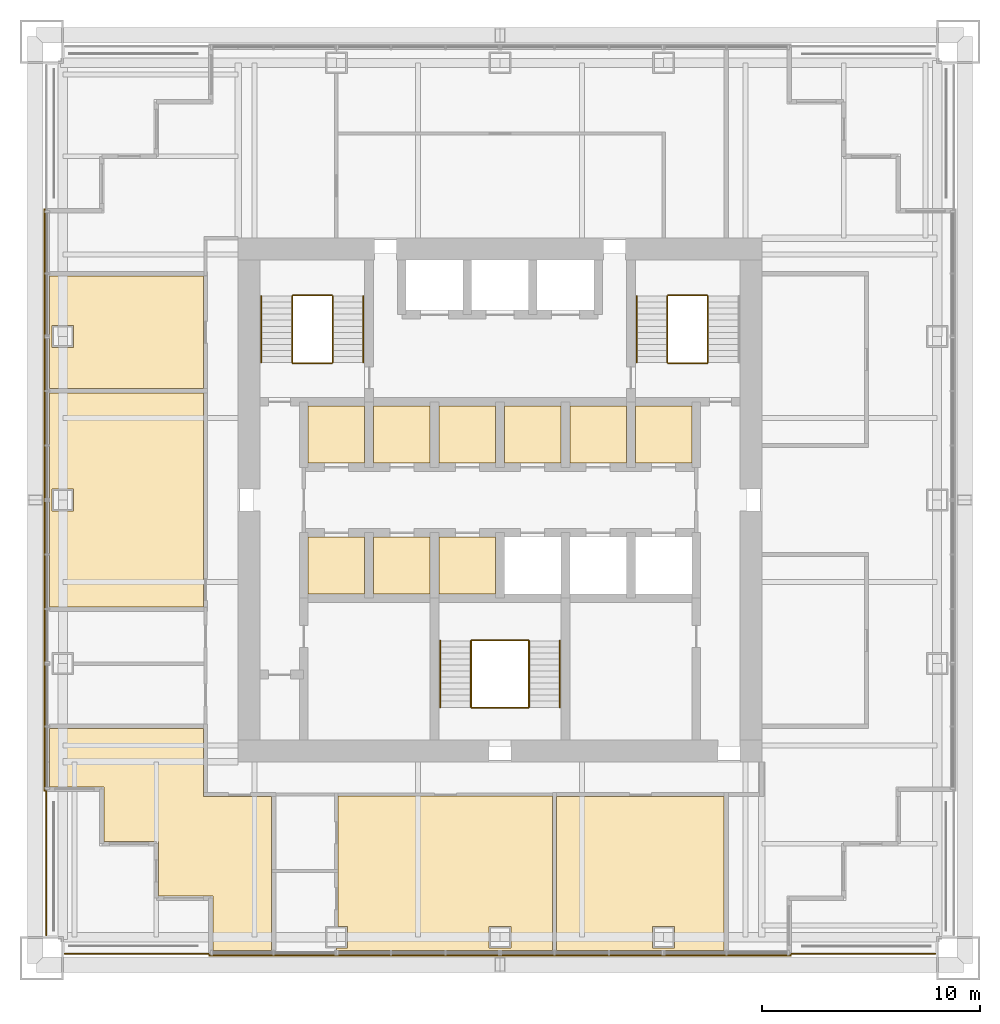
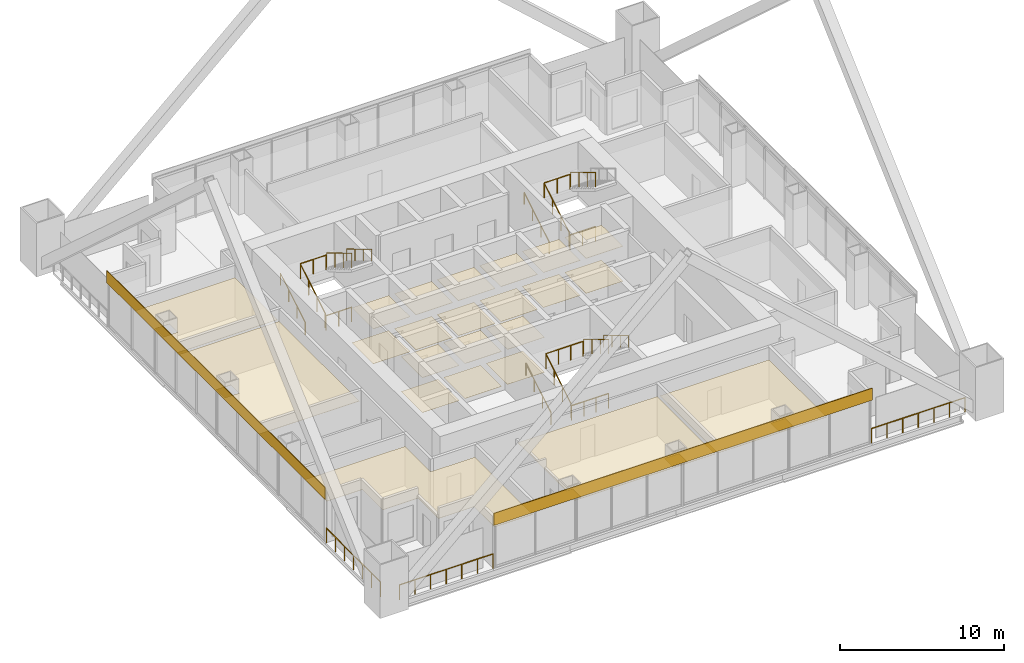
# One storey, part 12 of 13: 25 coverings, 20 railings.
"""IFC4 building model written with IfcOpenShell, lengths in metres."""

import ifcopenshell
import ifcopenshell.guid

model = None  # the IFC model being written
_history = None  # IfcOwnerHistory: only IFC2X3 demands one
_inside = {}  # id of a spatial element -> (the spatial element, [elements in it])
_under = {}  # id of a project, library or spatial element -> (it, [spatial elements below it])
_declared = {}  # id of a project -> (the project, [libraries it declares])
_typed = {}  # id of a type object -> (the type object, [elements of that type])
_made_of = {}  # id of a material, layer set ... -> (it, [elements and type objects made of it])


def new_model(schema):
    """Start an empty IFC model of exactly this schema.

    Asked for "IFC4X3", IfcOpenShell would pick the latest addendum, in which some entities
    have other attributes; the version numbers below select the first issue.
    IFC2X3 requires an IfcOwnerHistory on every rooted entity: one is made here for all.
    """
    global model, _history
    if schema == "IFC4X3":
        model = ifcopenshell.file(schema_version=(4, 3, 0, 0))
    else:
        model = ifcopenshell.file(schema=schema)
    _inside.clear()
    _under.clear()
    _declared.clear()
    _typed.clear()
    _made_of.clear()
    _history = None
    if model.schema == "IFC2X3":
        org = make("IfcOrganization", Name="unknown")
        user = make(
            "IfcPersonAndOrganization",
            ThePerson=make("IfcPerson", FamilyName="unknown"),
            TheOrganization=org,
        )
        app = make(
            "IfcApplication",
            ApplicationDeveloper=org,
            Version="unknown",
            ApplicationFullName="unknown",
            ApplicationIdentifier="unknown",
        )
        _history = make(
            "IfcOwnerHistory",
            OwningUser=user,
            OwningApplication=app,
            ChangeAction="ADDED",
            CreationDate=0,
        )
    return model


def make(cls, **values):
    """One entity of the class cls with the attributes given. An attribute that is None is left unset."""
    return model.create_entity(
        cls, **{name: value for name, value in values.items() if value is not None}
    )


def rooted(cls, **values):
    """An entity with a GlobalId (a new one), such as an element, a storey or a relation."""
    return make(cls, GlobalId=ifcopenshell.guid.new(), OwnerHistory=_history, **values)


def si_unit(unit_type, name, prefix=None):
    """IfcSIUnit, for example si_unit("LENGTHUNIT", "METRE", prefix="MILLI")."""
    return make("IfcSIUnit", UnitType=unit_type, Prefix=prefix, Name=name)


def assignment(units):
    """IfcUnitAssignment: the units of a project."""
    return None if units is None else make("IfcUnitAssignment", Units=units)


def point(xyz):
    """IfcCartesianPoint."""
    return None if xyz is None else make("IfcCartesianPoint", Coordinates=xyz)


def direction(xyz):
    """IfcDirection."""
    return None if xyz is None else make("IfcDirection", DirectionRatios=xyz)


def frame(location, z_axis=None, x_axis=None):
    """IfcAxis2Placement3D, a coordinate frame: its origin and axes. An axis left out is left unset."""
    return make(
        "IfcAxis2Placement3D",
        Location=point(location),
        Axis=direction(z_axis),
        RefDirection=direction(x_axis),
    )


def frame_2d(location, x_axis=None):
    """IfcAxis2Placement2D, a coordinate frame in the plane: its origin and x axis."""
    return make(
        "IfcAxis2Placement2D", Location=point(location), RefDirection=direction(x_axis)
    )


def origin():
    """The frame at (0, 0, 0) with its axes left unset."""
    return frame((0.0, 0.0, 0.0))


def origin_2d():
    """The frame at (0, 0) in the plane with its x axis left unset."""
    return frame_2d((0.0, 0.0))


def place(relative_to, where):
    """IfcLocalPlacement: puts the frame where relative to a parent placement (None: the world)."""
    return make(
        "IfcLocalPlacement", PlacementRelTo=relative_to, RelativePlacement=where
    )


def context(
    kind, dimensions, precision=None, world=None, true_north=None, identifier=None
):
    """IfcGeometricRepresentationContext, for example the 3D "Model" context."""
    return make(
        "IfcGeometricRepresentationContext",
        ContextIdentifier=identifier,
        ContextType=kind,
        CoordinateSpaceDimension=dimensions,
        Precision=precision,
        WorldCoordinateSystem=world,
        TrueNorth=true_north,
    )


def subcontext(parent, identifier, kind, view, scale=None):
    """IfcGeometricRepresentationSubContext, for example "Body" below "Model"."""
    return make(
        "IfcGeometricRepresentationSubContext",
        ContextIdentifier=identifier,
        ContextType=kind,
        ParentContext=parent,
        TargetScale=scale,
        TargetView=view,
    )


def project(units=None, contexts=None):
    """IfcProject with its units and contexts."""
    return rooted(
        "IfcProject",
        Name="project",
        RepresentationContexts=contexts,
        UnitsInContext=assignment(units),
    )


def spatial(cls, under=None, at=None, **own):
    """A site, building, storey or space (cls), placed at a placement, below another one or the project."""
    s = rooted(cls, ObjectPlacement=at, **own)
    if under is not None:
        _under.setdefault(under.id(), (under, []))[1].append(s)
    return s


def polyline(points):
    """IfcPolyline through the points."""
    return make("IfcPolyline", Points=[point(p) for p in points])


def profile(cls, at=None, kind="AREA", **sizes):
    """A parametric profile (cls). Its sizes go by their IFC names, for example OverallWidth=200.0."""
    return make(cls, ProfileType=kind, Position=at, **sizes)


def rectangle(**sizes):
    """IfcRectangleProfileDef."""
    return profile("IfcRectangleProfileDef", **sizes)


def circle(**sizes):
    """IfcCircleProfileDef."""
    return profile("IfcCircleProfileDef", **sizes)


def outline(outer, holes=None, kind="AREA"):
    """IfcArbitraryClosedProfileDef: a profile drawn as a closed curve; with holes, ...WithVoids."""
    if holes is None:
        return make("IfcArbitraryClosedProfileDef", ProfileType=kind, OuterCurve=outer)
    return make(
        "IfcArbitraryProfileDefWithVoids",
        ProfileType=kind,
        OuterCurve=outer,
        InnerCurves=holes,
    )


def extrude(swept, where, along, depth):
    """IfcExtrudedAreaSolid: the profile swept, set in the frame where, extruded along a direction by depth."""
    return make(
        "IfcExtrudedAreaSolid",
        SweptArea=swept,
        Position=where,
        ExtrudedDirection=direction(along),
        Depth=depth,
    )


def shape(context_of_items, identifier, shape_type, items):
    """IfcShapeRepresentation: the items that make up one representation, for example the "Body"."""
    return make(
        "IfcShapeRepresentation",
        ContextOfItems=context_of_items,
        RepresentationIdentifier=identifier,
        RepresentationType=shape_type,
        Items=items,
    )


def material(Name=None, Category=None):
    """IfcMaterial."""
    return make("IfcMaterial", Name=Name, Category=Category)


def layer(
    of_material, thickness, ventilated=None, Name=None, Category=None, Priority=None
):
    """IfcMaterialLayer: one layer of a wall or slab, of a material (None: an air gap)."""
    return make(
        "IfcMaterialLayer",
        Material=of_material,
        LayerThickness=thickness,
        IsVentilated=ventilated,
        Name=Name,
        Category=Category,
        Priority=Priority,
    )


def layer_set(layers, Name=None):
    """IfcMaterialLayerSet."""
    return make("IfcMaterialLayerSet", MaterialLayers=layers, LayerSetName=Name)


def made_of(thing, what):
    """Note that an element or type object is made of a material, layer set ...; save() writes the relation."""
    if what is not None:
        _made_of.setdefault(what.id(), (what, []))[1].append(thing)
    return thing


def type_object(cls, material=None, **own):
    """A type object (cls), such as IfcWallType, which elements share."""
    return made_of(rooted(cls, **own), material)


def element(
    cls,
    number,
    at=None,
    inside=None,
    cuts=None,
    type_object=None,
    material=None,
    context=None,
    identifier="Body",
    shape_type=None,
    held_by="IfcProductDefinitionShape",
    body=None,
    shapes=None,
    **own,
):
    """One element of the class cls, such as IfcWall. Its Tag is "e" and its number.

    at: its placement. inside: the storey or other place that contains it. cuts: it is an
    opening in that element (IfcRelVoidsElement). A single representation is given by context,
    identifier, shape_type and body (its items); several are given by shapes. held_by: the class
    of the entity that holds the representations. save() writes the other relations.
    """
    e = rooted(cls, Tag="e%d" % number, ObjectPlacement=at, **own)
    if body is not None:
        shapes = [shape(context, identifier, shape_type, body)]
    if shapes is not None:
        e.Representation = make(held_by, Representations=shapes)
    if inside is not None:
        _inside.setdefault(inside.id(), (inside, []))[1].append(e)
    if cuts is not None:
        rooted(
            "IfcRelVoidsElement", RelatingBuildingElement=cuts, RelatedOpeningElement=e
        )
    if type_object is not None:
        _typed.setdefault(type_object.id(), (type_object, []))[1].append(e)
    return made_of(e, material)


def aggregate(whole, parts):
    """IfcRelAggregates: a whole, such as a stair, and the parts it consists of."""
    return rooted("IfcRelAggregates", RelatingObject=whole, RelatedObjects=parts)


def save(model, path):
    """Write the relations noted so far, then the file.

    IfcRelAggregates (storeys below a building ...), IfcRelContainedInSpatialStructure (elements
    in a storey), IfcRelDefinesByType, IfcRelAssociatesMaterial and IfcRelDeclares: one each for
    every whole, place, type object, material and project.
    """
    for whole, parts in _under.values():
        aggregate(whole, parts)
    for where, things in _inside.values():
        rooted(
            "IfcRelContainedInSpatialStructure",
            RelatedElements=things,
            RelatingStructure=where,
        )
    for kind, things in _typed.values():
        rooted("IfcRelDefinesByType", RelatedObjects=things, RelatingType=kind)
    for what, things in _made_of.values():
        rooted("IfcRelAssociatesMaterial", RelatedObjects=things, RelatingMaterial=what)
    for by, libraries in _declared.values():
        rooted("IfcRelDeclares", RelatingContext=by, RelatedDefinitions=libraries)
    model.write(path)


model = new_model("IFC4")

# Units and contexts
model_context = context("Model", 3, precision=1e-05, world=origin(), true_north=direction((0.0, 1.0)))
body_context = subcontext(model_context, "Body", "Model", "MODEL_VIEW")
ifc_project = project(units=[si_unit("LENGTHUNIT", "METRE"), si_unit("AREAUNIT", "SQUARE_METRE"), si_unit("VOLUMEUNIT", "CUBIC_METRE"), si_unit("PLANEANGLEUNIT", "RADIAN"), si_unit("MASSUNIT", "GRAM", prefix="KILO")], contexts=[model_context])

# Site, building, storey
site_placement = place(None, origin())
site = spatial("IfcSite", under=ifc_project, at=site_placement, CompositionType="ELEMENT")
building_placement = place(site_placement, origin())
building = spatial("IfcBuilding", under=site, at=building_placement, Name="Tarangal Relay Tower", CompositionType="ELEMENT")
storey_placement = place(building_placement, frame((0.0, 0.0, 259.89990234375)))
storey = spatial("IfcBuildingStorey", under=building, at=storey_placement, Name="L56", CompositionType="ELEMENT", Elevation=259.89990234375)

# Coverings
ifc_material_1 = material(Name="Anti-static vinyl flooring", Category="plastic")
ifc_layer_1 = layer(ifc_material_1, 0.010009765625)
ifc_layer_set_1 = layer_set([ifc_layer_1], Name="Anti-static vinyl floor")
covering_type_1 = type_object("IfcCoveringType", Name="Anti-static vinyl floor", PredefinedType="FLOORING", material=ifc_layer_set_1)
covering_1_placement = place(storey_placement, origin())
element("IfcCovering", 1, at=covering_1_placement, inside=storey, type_object=covering_type_1, Name="Floor finish FL1 L56-D1", PredefinedType="FLOORING", context=body_context, shape_type="SweptSolid", body=[
    extrude(outline(polyline([(-8.800048828125, 1.699951171875), (-6.199951171875, 1.699951171875), (-6.199951171875, 4.300048828125), (-8.800048828125, 4.300048828125), (-8.800048828125, 1.699951171875)])), origin(), (0.0, 0.0, 1.0), 0.010009765625),
])
covering_2_placement = place(storey_placement, origin())
element("IfcCovering", 2, at=covering_2_placement, inside=storey, type_object=covering_type_1, Name="Floor finish FL1 L56-D2", PredefinedType="FLOORING", context=body_context, shape_type="SweptSolid", body=[
    extrude(outline(polyline([(-5.800048828125, 1.699951171875), (-3.199951171875, 1.699951171875), (-3.199951171875, 4.300048828125), (-5.800048828125, 4.300048828125), (-5.800048828125, 1.699951171875)])), origin(), (0.0, 0.0, 1.0), 0.010009765625),
])
covering_3_placement = place(storey_placement, origin())
element("IfcCovering", 3, at=covering_3_placement, inside=storey, type_object=covering_type_1, Name="Floor finish FL1 L56-D3", PredefinedType="FLOORING", context=body_context, shape_type="SweptSolid", body=[
    extrude(outline(polyline([(-2.800048828125, 1.699951171875), (-0.199951171875, 1.699951171875), (-0.199951171875, 4.300048828125), (-2.800048828125, 4.300048828125), (-2.800048828125, 1.699951171875)])), origin(), (0.0, 0.0, 1.0), 0.010009765625),
])
covering_4_placement = place(storey_placement, origin())
element("IfcCovering", 4, at=covering_4_placement, inside=storey, type_object=covering_type_1, Name="Floor finish FL1 L56-T1", PredefinedType="FLOORING", context=body_context, shape_type="SweptSolid", body=[
    extrude(outline(polyline([(0.199951171875, 1.699951171875), (2.800048828125, 1.699951171875), (2.800048828125, 4.300048828125), (0.199951171875, 4.300048828125), (0.199951171875, 1.699951171875)])), origin(), (0.0, 0.0, 1.0), 0.010009765625),
])
covering_5_placement = place(storey_placement, origin())
element("IfcCovering", 5, at=covering_5_placement, inside=storey, type_object=covering_type_1, Name="Floor finish FL1 L56-T2", PredefinedType="FLOORING", context=body_context, shape_type="SweptSolid", body=[
    extrude(outline(polyline([(3.199951171875, 1.699951171875), (5.800048828125, 1.699951171875), (5.800048828125, 4.300048828125), (3.199951171875, 4.300048828125), (3.199951171875, 1.699951171875)])), origin(), (0.0, 0.0, 1.0), 0.010009765625),
])
covering_6_placement = place(storey_placement, origin())
element("IfcCovering", 6, at=covering_6_placement, inside=storey, type_object=covering_type_1, Name="Floor finish FL1 L56-T3", PredefinedType="FLOORING", context=body_context, shape_type="SweptSolid", body=[
    extrude(outline(polyline([(6.199951171875, 1.699951171875), (8.800048828125, 1.699951171875), (8.800048828125, 4.300048828125), (6.199951171875, 4.300048828125), (6.199951171875, 1.699951171875)])), origin(), (0.0, 0.0, 1.0), 0.010009765625),
])
covering_7_placement = place(storey_placement, origin())
element("IfcCovering", 7, at=covering_7_placement, inside=storey, type_object=covering_type_1, Name="Floor finish FL1 L56-S1", PredefinedType="FLOORING", context=body_context, shape_type="SweptSolid", body=[
    extrude(outline(polyline([(-8.800048828125, -4.300048828125), (-6.199951171875, -4.300048828125), (-6.199951171875, -1.699951171875), (-8.800048828125, -1.699951171875), (-8.800048828125, -4.300048828125)])), origin(), (0.0, 0.0, 1.0), 0.010009765625),
])
covering_8_placement = place(storey_placement, origin())
element("IfcCovering", 8, at=covering_8_placement, inside=storey, type_object=covering_type_1, Name="Floor finish FL1 L56-S2", PredefinedType="FLOORING", context=body_context, shape_type="SweptSolid", body=[
    extrude(outline(polyline([(-5.800048828125, -4.300048828125), (-3.199951171875, -4.300048828125), (-3.199951171875, -1.699951171875), (-5.800048828125, -1.699951171875), (-5.800048828125, -4.300048828125)])), origin(), (0.0, 0.0, 1.0), 0.010009765625),
])
covering_9_placement = place(storey_placement, origin())
element("IfcCovering", 9, at=covering_9_placement, inside=storey, type_object=covering_type_1, Name="Floor finish FL1 L56-S3", PredefinedType="FLOORING", context=body_context, shape_type="SweptSolid", body=[
    extrude(outline(polyline([(-2.800048828125, -4.300048828125), (-0.199951171875, -4.300048828125), (-0.199951171875, -1.699951171875), (-2.800048828125, -1.699951171875), (-2.800048828125, -4.300048828125)])), origin(), (0.0, 0.0, 1.0), 0.010009765625),
])
ifc_material_2 = material(Name="Black anodised aluminium cladding", Category="aluminium")
ifc_layer_2 = layer(ifc_material_2, 0.050048828125)
ifc_layer_set_2 = layer_set([ifc_layer_2], Name="Black metal spandrel band")
covering_type_2 = type_object("IfcCoveringType", Name="Black metal spandrel band", PredefinedType="CLADDING", material=ifc_layer_set_2)
for number, where, z_axis, x_axis, name in (
    (10, (0.0, -20.875, 3.250244140625), (0.0, 0.0, 1.0), (-1.0, 0.0, 0.0), "Spandrel band SB1 S L56"),
    (11, (-20.875, 0.0, 3.250244140625), (0.0, 0.0, 1.0), (0.0, 1.0, 0.0), "Spandrel band SB1 W L56"),
):
    element("IfcCovering", number, at=place(storey_placement, frame(where, z_axis=z_axis, x_axis=x_axis)), inside=storey, type_object=covering_type_2, Name=name, PredefinedType="CLADDING", context=body_context, shape_type="SweptSolid", body=[
        extrude(rectangle(XDim=26.699951171875, YDim=0.050048828125, at=origin_2d()), origin(), (0.0, 0.0, 1.0), 0.89990234375),
    ])

# Railings
ifc_material_3 = material(Name="Steel guard, black finish", Category="steel")
railing_type_1 = type_object("IfcRailingType", Name="Stair guard 1100", PredefinedType="GUARDRAIL", material=ifc_material_3)
railing_1_placement = place(storey_placement, frame((-9.530029296875, 6.300048828125, 0.166748046875)))
element("IfcRailing", 12, at=railing_1_placement, inside=storey, type_object=railing_type_1, Name="Stair ST-A guard GR1 L56 flight 1", PredefinedType="GUARDRAIL", context=body_context, shape_type="SweptSolid", body=[
    extrude(circle(Radius=0.02392578125, at=origin_2d()), frame((0.0, 0.0, 1.076171875), z_axis=(0.0, 0.85685617095, 0.515555527858), x_axis=(-1.0, 0.0, 0.0)), (0.0, 0.0, 1.0), 3.555908203125),
    extrude(circle(Radius=0.02099609375, at=origin_2d()), origin(), (0.0, 0.0, 1.0), 1.052001953125),
    extrude(circle(Radius=0.02099609375, at=origin_2d()), frame((0.0, 1.015625, 0.611083984375)), (0.0, 0.0, 1.0), 1.052001953125),
    extrude(circle(Radius=0.02099609375, at=origin_2d()), frame((0.0, 2.03125, 1.22216796875)), (0.0, 0.0, 1.0), 1.052001953125),
    extrude(circle(Radius=0.02099609375, at=origin_2d()), frame((0.0, 3.046875, 1.833251953125)), (0.0, 0.0, 1.0), 1.052001953125),
])
railing_2_placement = place(storey_placement, frame((-7.669921875, 9.346923828125, 2.166748046875)))
element("IfcRailing", 13, at=railing_2_placement, inside=storey, type_object=railing_type_1, Name="Stair ST-A guard GR1 L56 flight 2", PredefinedType="GUARDRAIL", context=body_context, shape_type="SweptSolid", body=[
    extrude(circle(Radius=0.02392578125, at=origin_2d()), frame((0.0, 0.0, 1.076171875), z_axis=(0.0, -0.85685617095, 0.515555527858), x_axis=(1.0, 0.0, 0.0)), (0.0, 0.0, 1.0), 3.555908203125),
    extrude(circle(Radius=0.02099609375, at=origin_2d()), origin(), (0.0, 0.0, 1.0), 1.052001953125),
    extrude(circle(Radius=0.02099609375, at=origin_2d()), frame((0.0, -1.015625, 0.611083984375)), (0.0, 0.0, 1.0), 1.052001953125),
    extrude(circle(Radius=0.02099609375, at=origin_2d()), frame((0.0, -2.03125, 1.22216796875)), (0.0, 0.0, 1.0), 1.052001953125),
    extrude(circle(Radius=0.02099609375, at=origin_2d()), frame((0.0, -3.046875, 1.833251953125)), (0.0, 0.0, 1.0), 1.052001953125),
])
for number, where, name in (
    (14, (-9.5, 6.27001953125, 0.0), "Stair ST-A landing guard GR1 L56"),
    (15, (-9.5, 9.376953125, 2.0), "Stair ST-A landing guard GR1 L56"),
):
    element("IfcRailing", number, at=place(storey_placement, frame(where)), inside=storey, type_object=railing_type_1, Name=name, PredefinedType="GUARDRAIL", context=body_context, shape_type="SweptSolid", body=[
        extrude(circle(Radius=0.02392578125, at=origin_2d()), frame((0.0, 0.0, 1.076171875), z_axis=(1.0, 0.0, 0.0), x_axis=(0.0, 1.0, 0.0)), (0.0, 0.0, 1.0), 1.800048828125),
        extrude(circle(Radius=0.02099609375, at=origin_2d()), origin(), (0.0, 0.0, 1.0), 1.052001953125),
        extrude(circle(Radius=0.02099609375, at=origin_2d()), frame((0.89990234375, 0.0, 0.0)), (0.0, 0.0, 1.0), 1.052001953125),
        extrude(circle(Radius=0.02099609375, at=origin_2d()), frame((1.800048828125, 0.0, 0.0)), (0.0, 0.0, 1.0), 1.052001953125),
    ])
railing_3_placement = place(storey_placement, frame((7.669921875, 6.300048828125, 0.166748046875)))
element("IfcRailing", 16, at=railing_3_placement, inside=storey, type_object=railing_type_1, Name="Stair ST-B guard GR1 L56 flight 1", PredefinedType="GUARDRAIL", context=body_context, shape_type="SweptSolid", body=[
    extrude(circle(Radius=0.02392578125, at=origin_2d()), frame((0.0, 0.0, 1.076171875), z_axis=(0.0, 0.85685617095, 0.515555527858), x_axis=(-1.0, 0.0, 0.0)), (0.0, 0.0, 1.0), 3.555908203125),
    extrude(circle(Radius=0.02099609375, at=origin_2d()), origin(), (0.0, 0.0, 1.0), 1.052001953125),
    extrude(circle(Radius=0.02099609375, at=origin_2d()), frame((0.0, 1.015625, 0.611083984375)), (0.0, 0.0, 1.0), 1.052001953125),
    extrude(circle(Radius=0.02099609375, at=origin_2d()), frame((0.0, 2.03125, 1.22216796875)), (0.0, 0.0, 1.0), 1.052001953125),
    extrude(circle(Radius=0.02099609375, at=origin_2d()), frame((0.0, 3.046875, 1.833251953125)), (0.0, 0.0, 1.0), 1.052001953125),
])
railing_4_placement = place(storey_placement, frame((9.530029296875, 9.346923828125, 2.166748046875)))
element("IfcRailing", 17, at=railing_4_placement, inside=storey, type_object=railing_type_1, Name="Stair ST-B guard GR1 L56 flight 2", PredefinedType="GUARDRAIL", context=body_context, shape_type="SweptSolid", body=[
    extrude(circle(Radius=0.02392578125, at=origin_2d()), frame((0.0, 0.0, 1.076171875), z_axis=(0.0, -0.85685617095, 0.515555527858), x_axis=(1.0, 0.0, 0.0)), (0.0, 0.0, 1.0), 3.555908203125),
    extrude(circle(Radius=0.02099609375, at=origin_2d()), origin(), (0.0, 0.0, 1.0), 1.052001953125),
    extrude(circle(Radius=0.02099609375, at=origin_2d()), frame((0.0, -1.015625, 0.611083984375)), (0.0, 0.0, 1.0), 1.052001953125),
    extrude(circle(Radius=0.02099609375, at=origin_2d()), frame((0.0, -2.03125, 1.22216796875)), (0.0, 0.0, 1.0), 1.052001953125),
    extrude(circle(Radius=0.02099609375, at=origin_2d()), frame((0.0, -3.046875, 1.833251953125)), (0.0, 0.0, 1.0), 1.052001953125),
])
for number, where, name in (
    (18, (7.699951171875, 6.27001953125, 0.0), "Stair ST-B landing guard GR1 L56"),
    (19, (7.699951171875, 9.376953125, 2.0), "Stair ST-B landing guard GR1 L56"),
):
    element("IfcRailing", number, at=place(storey_placement, frame(where)), inside=storey, type_object=railing_type_1, Name=name, PredefinedType="GUARDRAIL", context=body_context, shape_type="SweptSolid", body=[
        extrude(circle(Radius=0.02392578125, at=origin_2d()), frame((0.0, 0.0, 1.076171875), z_axis=(1.0, 0.0, 0.0), x_axis=(0.0, 1.0, 0.0)), (0.0, 0.0, 1.0), 1.800048828125),
        extrude(circle(Radius=0.02099609375, at=origin_2d()), origin(), (0.0, 0.0, 1.0), 1.052001953125),
        extrude(circle(Radius=0.02099609375, at=origin_2d()), frame((0.89990234375, 0.0, 0.0)), (0.0, 0.0, 1.0), 1.052001953125),
        extrude(circle(Radius=0.02099609375, at=origin_2d()), frame((1.800048828125, 0.0, 0.0)), (0.0, 0.0, 1.0), 1.052001953125),
    ])
railing_5_placement = place(storey_placement, frame((-1.330078125, -9.5, 0.166748046875)))
element("IfcRailing", 20, at=railing_5_placement, inside=storey, type_object=railing_type_1, Name="Stair ST-C guard GR1 L56 flight 1", PredefinedType="GUARDRAIL", context=body_context, shape_type="SweptSolid", body=[
    extrude(circle(Radius=0.02392578125, at=origin_2d()), frame((0.0, 0.0, 1.076171875), z_axis=(0.0, 0.856874418557, 0.515525199018), x_axis=(-1.0, 0.0, 0.0)), (0.0, 0.0, 1.0), 3.55615234375),
    extrude(circle(Radius=0.02099609375, at=origin_2d()), origin(), (0.0, 0.0, 1.0), 1.052001953125),
    extrude(circle(Radius=0.02099609375, at=origin_2d()), frame((0.0, 1.015625, 0.611083984375)), (0.0, 0.0, 1.0), 1.052001953125),
    extrude(circle(Radius=0.02099609375, at=origin_2d()), frame((0.0, 2.031494140625, 1.22216796875)), (0.0, 0.0, 1.0), 1.052001953125),
    extrude(circle(Radius=0.02099609375, at=origin_2d()), frame((0.0, 3.047119140625, 1.833251953125)), (0.0, 0.0, 1.0), 1.052001953125),
])
railing_6_placement = place(storey_placement, frame((1.330078125, -6.452880859375, 2.166748046875)))
element("IfcRailing", 21, at=railing_6_placement, inside=storey, type_object=railing_type_1, Name="Stair ST-C guard GR1 L56 flight 2", PredefinedType="GUARDRAIL", context=body_context, shape_type="SweptSolid", body=[
    extrude(circle(Radius=0.02392578125, at=origin_2d()), frame((0.0, 0.0, 1.076171875), z_axis=(0.0, -0.856874418557, 0.515525199018), x_axis=(1.0, 0.0, 0.0)), (0.0, 0.0, 1.0), 3.55615234375),
    extrude(circle(Radius=0.02099609375, at=origin_2d()), origin(), (0.0, 0.0, 1.0), 1.052001953125),
    extrude(circle(Radius=0.02099609375, at=origin_2d()), frame((0.0, -1.015625, 0.611083984375)), (0.0, 0.0, 1.0), 1.052001953125),
    extrude(circle(Radius=0.02099609375, at=origin_2d()), frame((0.0, -2.031494140625, 1.22216796875)), (0.0, 0.0, 1.0), 1.052001953125),
    extrude(circle(Radius=0.02099609375, at=origin_2d()), frame((0.0, -3.047119140625, 1.833251953125)), (0.0, 0.0, 1.0), 1.052001953125),
])
for number, where, name in (
    (22, (-1.300048828125, -9.530029296875, 0.0), "Stair ST-C landing guard GR1 L56"),
    (23, (-1.300048828125, -6.423095703125, 2.0), "Stair ST-C landing guard GR1 L56"),
):
    element("IfcRailing", number, at=place(storey_placement, frame(where)), inside=storey, type_object=railing_type_1, Name=name, PredefinedType="GUARDRAIL", context=body_context, shape_type="SweptSolid", body=[
        extrude(circle(Radius=0.02392578125, at=origin_2d()), frame((0.0, 0.0, 1.076171875), z_axis=(1.0, 0.0, 0.0), x_axis=(0.0, 1.0, 0.0)), (0.0, 0.0, 1.0), 2.60009765625),
        extrude(circle(Radius=0.02099609375, at=origin_2d()), origin(), (0.0, 0.0, 1.0), 1.052001953125),
        extrude(circle(Radius=0.02099609375, at=origin_2d()), frame((0.86669921875, 0.0, 0.0)), (0.0, 0.0, 1.0), 1.052001953125),
        extrude(circle(Radius=0.02099609375, at=origin_2d()), frame((1.7333984375, 0.0, 0.0)), (0.0, 0.0, 1.0), 1.052001953125),
        extrude(circle(Radius=0.02099609375, at=origin_2d()), frame((2.60009765625, 0.0, 0.0)), (0.0, 0.0, 1.0), 1.052001953125),
    ])
ifc_material_4 = material(Name="Steel handrail, black finish", Category="steel")
railing_type_2 = type_object("IfcRailingType", Name="Stair handrail 900", PredefinedType="HANDRAIL", material=ifc_material_4)
railing_7_placement = place(storey_placement, frame((-10.93994140625, 6.300048828125, 0.166748046875)))
element("IfcRailing", 24, at=railing_7_placement, inside=storey, type_object=railing_type_2, Name="Stair ST-A handrail HR1 L56 flight 1", PredefinedType="HANDRAIL", context=body_context, shape_type="SweptSolid", body=[
    extrude(circle(Radius=0.02392578125, at=origin_2d()), frame((0.0, 0.0, 0.8759765625), z_axis=(0.0, 0.85685617095, 0.515555527858), x_axis=(-1.0, 0.0, 0.0)), (0.0, 0.0, 1.0), 3.555908203125),
    extrude(circle(Radius=0.02099609375, at=origin_2d()), origin(), (0.0, 0.0, 1.0), 0.851806640625),
    extrude(circle(Radius=0.02099609375, at=origin_2d()), frame((0.0, 1.015625, 0.611083984375)), (0.0, 0.0, 1.0), 0.851806640625),
    extrude(circle(Radius=0.02099609375, at=origin_2d()), frame((0.0, 2.03125, 1.22216796875)), (0.0, 0.0, 1.0), 0.851806640625),
    extrude(circle(Radius=0.02099609375, at=origin_2d()), frame((0.0, 3.046875, 1.833251953125)), (0.0, 0.0, 1.0), 0.851806640625),
])
railing_8_placement = place(storey_placement, frame((-6.260009765625, 9.346923828125, 2.166748046875)))
element("IfcRailing", 25, at=railing_8_placement, inside=storey, type_object=railing_type_2, Name="Stair ST-A handrail HR1 L56 flight 2", PredefinedType="HANDRAIL", context=body_context, shape_type="SweptSolid", body=[
    extrude(circle(Radius=0.02392578125, at=origin_2d()), frame((0.0, 0.0, 0.8759765625), z_axis=(0.0, -0.85685617095, 0.515555527858), x_axis=(1.0, 0.0, 0.0)), (0.0, 0.0, 1.0), 3.555908203125),
    extrude(circle(Radius=0.02099609375, at=origin_2d()), origin(), (0.0, 0.0, 1.0), 0.851806640625),
    extrude(circle(Radius=0.02099609375, at=origin_2d()), frame((0.0, -1.015625, 0.611083984375)), (0.0, 0.0, 1.0), 0.851806640625),
    extrude(circle(Radius=0.02099609375, at=origin_2d()), frame((0.0, -2.03125, 1.22216796875)), (0.0, 0.0, 1.0), 0.851806640625),
    extrude(circle(Radius=0.02099609375, at=origin_2d()), frame((0.0, -3.046875, 1.833251953125)), (0.0, 0.0, 1.0), 0.851806640625),
])
railing_9_placement = place(storey_placement, frame((6.260009765625, 6.300048828125, 0.166748046875)))
element("IfcRailing", 26, at=railing_9_placement, inside=storey, type_object=railing_type_2, Name="Stair ST-B handrail HR1 L56 flight 1", PredefinedType="HANDRAIL", context=body_context, shape_type="SweptSolid", body=[
    extrude(circle(Radius=0.02392578125, at=origin_2d()), frame((0.0, 0.0, 0.8759765625), z_axis=(0.0, 0.85685617095, 0.515555527858), x_axis=(-1.0, 0.0, 0.0)), (0.0, 0.0, 1.0), 3.555908203125),
    extrude(circle(Radius=0.02099609375, at=origin_2d()), origin(), (0.0, 0.0, 1.0), 0.851806640625),
    extrude(circle(Radius=0.02099609375, at=origin_2d()), frame((0.0, 1.015625, 0.611083984375)), (0.0, 0.0, 1.0), 0.851806640625),
    extrude(circle(Radius=0.02099609375, at=origin_2d()), frame((0.0, 2.03125, 1.22216796875)), (0.0, 0.0, 1.0), 0.851806640625),
    extrude(circle(Radius=0.02099609375, at=origin_2d()), frame((0.0, 3.046875, 1.833251953125)), (0.0, 0.0, 1.0), 0.851806640625),
])
railing_10_placement = place(storey_placement, frame((-2.739990234375, -9.5, 0.166748046875)))
element("IfcRailing", 27, at=railing_10_placement, inside=storey, type_object=railing_type_2, Name="Stair ST-C handrail HR1 L56 flight 1", PredefinedType="HANDRAIL", context=body_context, shape_type="SweptSolid", body=[
    extrude(circle(Radius=0.02392578125, at=origin_2d()), frame((0.0, 0.0, 0.8759765625), z_axis=(0.0, 0.856874418557, 0.515525199018), x_axis=(-1.0, 0.0, 0.0)), (0.0, 0.0, 1.0), 3.55615234375),
    extrude(circle(Radius=0.02099609375, at=origin_2d()), origin(), (0.0, 0.0, 1.0), 0.851806640625),
    extrude(circle(Radius=0.02099609375, at=origin_2d()), frame((0.0, 1.015625, 0.611083984375)), (0.0, 0.0, 1.0), 0.851806640625),
    extrude(circle(Radius=0.02099609375, at=origin_2d()), frame((0.0, 2.031494140625, 1.22216796875)), (0.0, 0.0, 1.0), 0.851806640625),
    extrude(circle(Radius=0.02099609375, at=origin_2d()), frame((0.0, 3.047119140625, 1.833251953125)), (0.0, 0.0, 1.0), 0.851806640625),
])
railing_11_placement = place(storey_placement, frame((2.739990234375, -6.452880859375, 2.166748046875)))
element("IfcRailing", 28, at=railing_11_placement, inside=storey, type_object=railing_type_2, Name="Stair ST-C handrail HR1 L56 flight 2", PredefinedType="HANDRAIL", context=body_context, shape_type="SweptSolid", body=[
    extrude(circle(Radius=0.02392578125, at=origin_2d()), frame((0.0, 0.0, 0.8759765625), z_axis=(0.0, -0.856874418557, 0.515525199018), x_axis=(1.0, 0.0, 0.0)), (0.0, 0.0, 1.0), 3.55615234375),
    extrude(circle(Radius=0.02099609375, at=origin_2d()), origin(), (0.0, 0.0, 1.0), 0.851806640625),
    extrude(circle(Radius=0.02099609375, at=origin_2d()), frame((0.0, -1.015625, 0.611083984375)), (0.0, 0.0, 1.0), 0.851806640625),
    extrude(circle(Radius=0.02099609375, at=origin_2d()), frame((0.0, -2.031494140625, 1.22216796875)), (0.0, 0.0, 1.0), 0.851806640625),
    extrude(circle(Radius=0.02099609375, at=origin_2d()), frame((0.0, -3.047119140625, 1.833251953125)), (0.0, 0.0, 1.0), 0.851806640625),
])

# Coverings
ifc_material_5 = material(Name="Mineral fibre ceiling tiles", Category="gypsum")
ifc_layer_3 = layer(ifc_material_5, 0.02001953125)
ifc_layer_set_3 = layer_set([ifc_layer_3], Name="Suspended ceiling")
covering_type_3 = type_object("IfcCoveringType", Name="Suspended ceiling", PredefinedType="CEILING", material=ifc_layer_set_3)
covering_10_placement = place(storey_placement, frame((0.0, 0.0, 2.60009765625)))
element("IfcCovering", 29, at=covering_10_placement, inside=storey, type_object=covering_type_3, Name="Suspended ceiling CL1 L56-D1", PredefinedType="CEILING", context=body_context, shape_type="SweptSolid", body=[
    extrude(outline(polyline([(-8.800048828125, 1.699951171875), (-6.199951171875, 1.699951171875), (-6.199951171875, 4.300048828125), (-8.800048828125, 4.300048828125), (-8.800048828125, 1.699951171875)])), origin(), (0.0, 0.0, 1.0), 0.02001953125),
])
covering_11_placement = place(storey_placement, frame((0.0, 0.0, 2.60009765625)))
element("IfcCovering", 30, at=covering_11_placement, inside=storey, type_object=covering_type_3, Name="Suspended ceiling CL1 L56-D2", PredefinedType="CEILING", context=body_context, shape_type="SweptSolid", body=[
    extrude(outline(polyline([(-5.800048828125, 1.699951171875), (-3.199951171875, 1.699951171875), (-3.199951171875, 4.300048828125), (-5.800048828125, 4.300048828125), (-5.800048828125, 1.699951171875)])), origin(), (0.0, 0.0, 1.0), 0.02001953125),
])
covering_12_placement = place(storey_placement, frame((0.0, 0.0, 2.60009765625)))
element("IfcCovering", 31, at=covering_12_placement, inside=storey, type_object=covering_type_3, Name="Suspended ceiling CL1 L56-D3", PredefinedType="CEILING", context=body_context, shape_type="SweptSolid", body=[
    extrude(outline(polyline([(-2.800048828125, 1.699951171875), (-0.199951171875, 1.699951171875), (-0.199951171875, 4.300048828125), (-2.800048828125, 4.300048828125), (-2.800048828125, 1.699951171875)])), origin(), (0.0, 0.0, 1.0), 0.02001953125),
])
covering_13_placement = place(storey_placement, frame((0.0, 0.0, 2.60009765625)))
element("IfcCovering", 32, at=covering_13_placement, inside=storey, type_object=covering_type_3, Name="Suspended ceiling CL1 L56-T1", PredefinedType="CEILING", context=body_context, shape_type="SweptSolid", body=[
    extrude(outline(polyline([(0.199951171875, 1.699951171875), (2.800048828125, 1.699951171875), (2.800048828125, 4.300048828125), (0.199951171875, 4.300048828125), (0.199951171875, 1.699951171875)])), origin(), (0.0, 0.0, 1.0), 0.02001953125),
])
covering_14_placement = place(storey_placement, frame((0.0, 0.0, 2.60009765625)))
element("IfcCovering", 33, at=covering_14_placement, inside=storey, type_object=covering_type_3, Name="Suspended ceiling CL1 L56-T2", PredefinedType="CEILING", context=body_context, shape_type="SweptSolid", body=[
    extrude(outline(polyline([(3.199951171875, 1.699951171875), (5.800048828125, 1.699951171875), (5.800048828125, 4.300048828125), (3.199951171875, 4.300048828125), (3.199951171875, 1.699951171875)])), origin(), (0.0, 0.0, 1.0), 0.02001953125),
])
covering_15_placement = place(storey_placement, frame((0.0, 0.0, 2.60009765625)))
element("IfcCovering", 34, at=covering_15_placement, inside=storey, type_object=covering_type_3, Name="Suspended ceiling CL1 L56-T3", PredefinedType="CEILING", context=body_context, shape_type="SweptSolid", body=[
    extrude(outline(polyline([(6.199951171875, 1.699951171875), (8.800048828125, 1.699951171875), (8.800048828125, 4.300048828125), (6.199951171875, 4.300048828125), (6.199951171875, 1.699951171875)])), origin(), (0.0, 0.0, 1.0), 0.02001953125),
])
covering_16_placement = place(storey_placement, frame((0.0, 0.0, 2.60009765625)))
element("IfcCovering", 35, at=covering_16_placement, inside=storey, type_object=covering_type_3, Name="Suspended ceiling CL1 L56-S1", PredefinedType="CEILING", context=body_context, shape_type="SweptSolid", body=[
    extrude(outline(polyline([(-8.800048828125, -4.300048828125), (-6.199951171875, -4.300048828125), (-6.199951171875, -1.699951171875), (-8.800048828125, -1.699951171875), (-8.800048828125, -4.300048828125)])), origin(), (0.0, 0.0, 1.0), 0.02001953125),
])
covering_17_placement = place(storey_placement, frame((0.0, 0.0, 2.60009765625)))
element("IfcCovering", 36, at=covering_17_placement, inside=storey, type_object=covering_type_3, Name="Suspended ceiling CL1 L56-S2", PredefinedType="CEILING", context=body_context, shape_type="SweptSolid", body=[
    extrude(outline(polyline([(-5.800048828125, -4.300048828125), (-3.199951171875, -4.300048828125), (-3.199951171875, -1.699951171875), (-5.800048828125, -1.699951171875), (-5.800048828125, -4.300048828125)])), origin(), (0.0, 0.0, 1.0), 0.02001953125),
])
covering_18_placement = place(storey_placement, frame((0.0, 0.0, 2.60009765625)))
element("IfcCovering", 37, at=covering_18_placement, inside=storey, type_object=covering_type_3, Name="Suspended ceiling CL1 L56-S3", PredefinedType="CEILING", context=body_context, shape_type="SweptSolid", body=[
    extrude(outline(polyline([(-2.800048828125, -4.300048828125), (-0.199951171875, -4.300048828125), (-0.199951171875, -1.699951171875), (-2.800048828125, -1.699951171875), (-2.800048828125, -4.300048828125)])), origin(), (0.0, 0.0, 1.0), 0.02001953125),
])
covering_19_placement = place(storey_placement, frame((0.0, 0.0, 2.900146484375)))
element("IfcCovering", 38, at=covering_19_placement, inside=storey, type_object=covering_type_3, Name="Suspended ceiling CL1 L56-06", PredefinedType="CEILING", context=body_context, shape_type="SweptSolid", body=[
    extrude(outline(polyline([(2.60009765625, -20.64990234375), (10.27490234375, -20.64990234375), (10.27490234375, -13.60009765625), (2.60009765625, -13.60009765625), (2.60009765625, -20.64990234375)]), holes=[polyline([(8.0, -19.5400390625), (7.0, -19.5400390625), (7.0, -20.5400390625), (8.0, -20.5400390625), (8.0, -19.5400390625)])]), origin(), (0.0, 0.0, 1.0), 0.02001953125),
])
covering_20_placement = place(storey_placement, frame((0.0, 0.0, 2.900146484375)))
element("IfcCovering", 39, at=covering_20_placement, inside=storey, type_object=covering_type_3, Name="Suspended ceiling CL1 L56-07", PredefinedType="CEILING", context=body_context, shape_type="SweptSolid", body=[
    extrude(outline(polyline([(-7.5, -20.64990234375), (2.39990234375, -20.64990234375), (2.39990234375, -13.574951171875), (-7.425048828125, -13.574951171875), (-7.425048828125, -19.5400390625), (-7.0, -19.5400390625), (-7.0, -20.5400390625), (-7.5, -20.5400390625), (-7.5, -20.64990234375)]), holes=[polyline([(0.5, -20.5400390625), (0.5, -19.5400390625), (-0.5, -19.5400390625), (-0.5, -20.5400390625), (0.5, -20.5400390625)])]), origin(), (0.0, 0.0, 1.0), 0.02001953125),
])
covering_21_placement = place(storey_placement, frame((0.0, 0.0, 2.900146484375)))
element("IfcCovering", 40, at=covering_21_placement, inside=storey, type_object=covering_type_3, Name="Suspended ceiling CL1 L56-12", PredefinedType="CEILING", context=body_context, shape_type="SweptSolid", body=[
    extrude(outline(polyline([(-20.64990234375, 4.89990234375), (-20.64990234375, -4.89990234375), (-13.60009765625, -4.89990234375), (-13.60009765625, 4.89990234375), (-20.64990234375, 4.89990234375)]), holes=[polyline([(-19.5400390625, 0.5), (-20.5400390625, 0.5), (-20.5400390625, -0.5), (-19.5400390625, -0.5), (-19.5400390625, 0.5)])]), origin(), (0.0, 0.0, 1.0), 0.02001953125),
])
covering_22_placement = place(storey_placement, frame((0.0, 0.0, 2.900146484375)))
element("IfcCovering", 41, at=covering_22_placement, inside=storey, type_object=covering_type_3, Name="Suspended ceiling CL1 L56-13", PredefinedType="CEILING", context=body_context, shape_type="SweptSolid", body=[
    extrude(outline(polyline([(-20.64990234375, 10.27490234375), (-20.64990234375, 5.10009765625), (-13.60009765625, 5.10009765625), (-13.60009765625, 10.27490234375), (-20.64990234375, 10.27490234375)]), holes=[polyline([(-19.5400390625, 8.0), (-20.5400390625, 8.0), (-20.5400390625, 7.0), (-19.5400390625, 7.0), (-19.5400390625, 8.0)])]), origin(), (0.0, 0.0, 1.0), 0.02001953125),
])
covering_23_placement = place(storey_placement, frame((0.0, 0.0, 2.900146484375)))
element("IfcCovering", 42, at=covering_23_placement, inside=storey, type_object=covering_type_3, Name="Suspended ceiling CL1 L56-16", PredefinedType="CEILING", context=body_context, shape_type="SweptSolid", body=[
    extrude(outline(polyline([(-13.14990234375, -18.14990234375), (-13.14990234375, -20.64990234375), (-10.47509765625, -20.64990234375), (-10.47509765625, -13.60009765625), (-13.60009765625, -13.60009765625), (-13.60009765625, -10.47509765625), (-20.64990234375, -10.47509765625), (-20.64990234375, -13.14990234375), (-18.14990234375, -13.14990234375), (-18.14990234375, -15.64990234375), (-15.64990234375, -15.64990234375), (-15.64990234375, -18.14990234375), (-13.14990234375, -18.14990234375)])), origin(), (0.0, 0.0, 1.0), 0.02001953125),
])

# Railings
ifc_material_6 = material(Name="Black steel guard with glass infill", Category="steel")
railing_type_3 = type_object("IfcRailingType", Name="Terrace guard 1100", PredefinedType="GUARDRAIL", material=ifc_material_6)
for number, where, name in (
    (43, (19.949951171875, -20.800048828125, 0.0), "Terrace guard GR2 SE L56"),
    (44, (-13.35009765625, -20.800048828125, 0.0), "Terrace guard GR2 SW L56"),
):
    element("IfcRailing", number, at=place(storey_placement, frame(where)), inside=storey, type_object=railing_type_3, Name=name, PredefinedType="GUARDRAIL", context=body_context, shape_type="SweptSolid", body=[
        extrude(circle(Radius=0.02392578125, at=origin_2d()), frame((0.0, 0.0, 1.076171875), z_axis=(-1.0, 0.0, 0.0), x_axis=(0.0, -1.0, 0.0)), (0.0, 0.0, 1.0), 6.599853515625),
        extrude(circle(Radius=0.02099609375, at=origin_2d()), origin(), (0.0, 0.0, 1.0), 1.052001953125),
        extrude(circle(Radius=0.02099609375, at=origin_2d()), frame((-1.10009765625, 0.0, 0.0)), (0.0, 0.0, 1.0), 1.052001953125),
        extrude(circle(Radius=0.02099609375, at=origin_2d()), frame((-2.199951171875, 0.0, 0.0)), (0.0, 0.0, 1.0), 1.052001953125),
        extrude(circle(Radius=0.02099609375, at=origin_2d()), frame((-3.2998046875, 0.0, 0.0)), (0.0, 0.0, 1.0), 1.052001953125),
        extrude(circle(Radius=0.02099609375, at=origin_2d()), frame((-4.39990234375, 0.0, 0.0)), (0.0, 0.0, 1.0), 1.052001953125),
        extrude(circle(Radius=0.02099609375, at=origin_2d()), frame((-5.5, 0.0, 0.0)), (0.0, 0.0, 1.0), 1.052001953125),
        extrude(circle(Radius=0.02099609375, at=origin_2d()), frame((-6.599853515625, 0.0, 0.0)), (0.0, 0.0, 1.0), 1.052001953125),
    ])
railing_12_placement = place(storey_placement, frame((-20.800048828125, -19.949951171875, 0.0)))
element("IfcRailing", 45, at=railing_12_placement, inside=storey, type_object=railing_type_3, Name="Terrace guard GR2 SW L56", PredefinedType="GUARDRAIL", context=body_context, shape_type="SweptSolid", body=[
    extrude(circle(Radius=0.02392578125, at=origin_2d()), frame((0.0, 0.0, 1.076171875), z_axis=(0.0, 1.0, 0.0), x_axis=(-1.0, 0.0, 0.0)), (0.0, 0.0, 1.0), 6.599853515625),
    extrude(circle(Radius=0.02099609375, at=origin_2d()), origin(), (0.0, 0.0, 1.0), 1.052001953125),
    extrude(circle(Radius=0.02099609375, at=origin_2d()), frame((0.0, 1.10009765625, 0.0)), (0.0, 0.0, 1.0), 1.052001953125),
    extrude(circle(Radius=0.02099609375, at=origin_2d()), frame((0.0, 2.199951171875, 0.0)), (0.0, 0.0, 1.0), 1.052001953125),
    extrude(circle(Radius=0.02099609375, at=origin_2d()), frame((0.0, 3.2998046875, 0.0)), (0.0, 0.0, 1.0), 1.052001953125),
    extrude(circle(Radius=0.02099609375, at=origin_2d()), frame((0.0, 4.39990234375, 0.0)), (0.0, 0.0, 1.0), 1.052001953125),
    extrude(circle(Radius=0.02099609375, at=origin_2d()), frame((0.0, 5.5, 0.0)), (0.0, 0.0, 1.0), 1.052001953125),
    extrude(circle(Radius=0.02099609375, at=origin_2d()), frame((0.0, 6.599853515625, 0.0)), (0.0, 0.0, 1.0), 1.052001953125),
])

save(model, "model.ifc")
